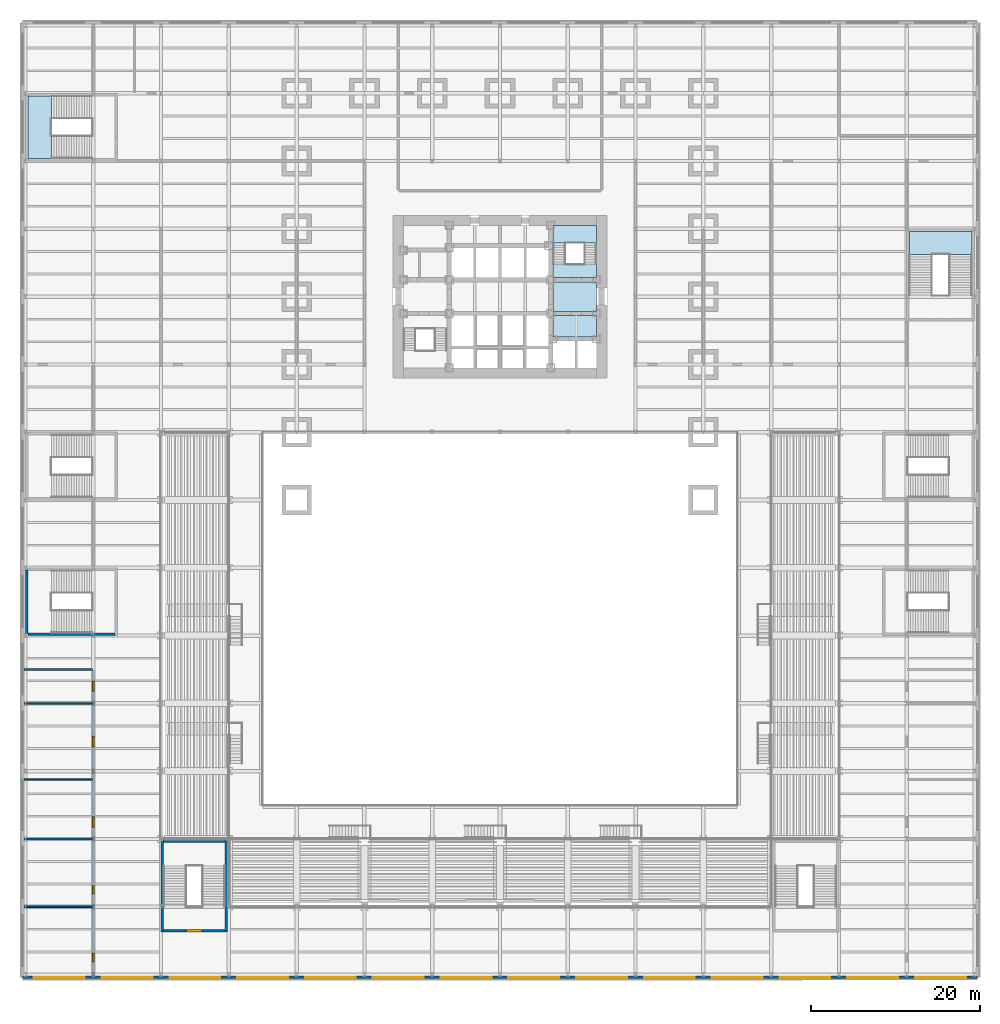
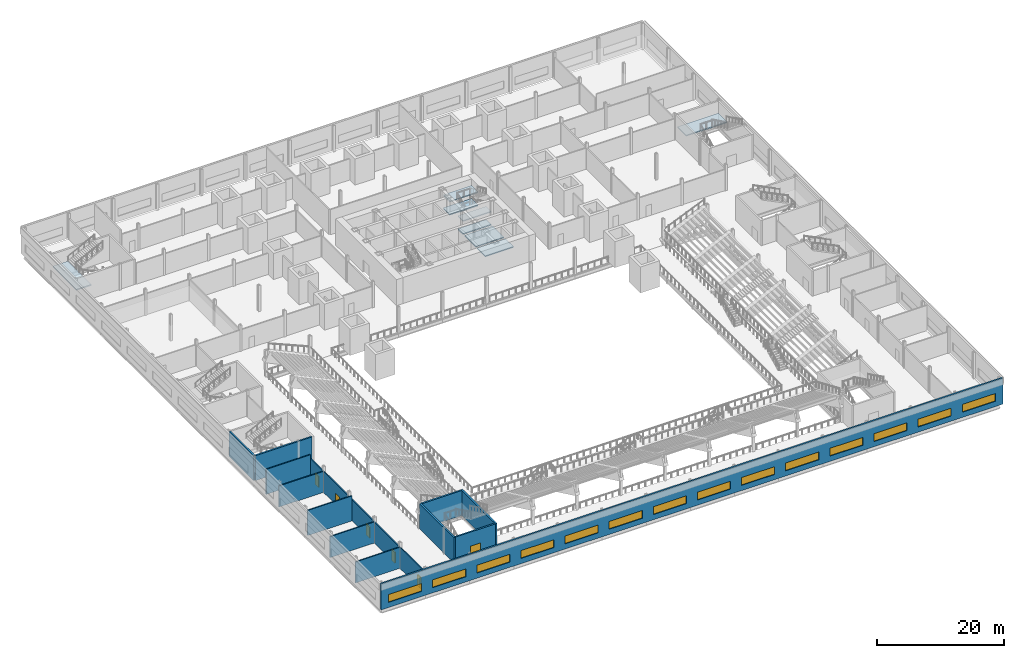
# One storey, part 13 of 27: 14 windows, 13 walls, 8 slabs, 6 doors, 20 openings, 3 elements without a shape of their own.
"""IFC4 building model written with IfcOpenShell, lengths in metres."""

from ifc_helpers import new_model, si_unit, direction, frame, frame_2d, origin, place, context, subcontext, project, spatial, polyline, rectangle, outline, extrude, material, layer, layer_set, type_object, element, fill, aggregate, save


model = new_model("IFC4")

# Units and contexts
model_context = context("Model", 3, precision=1e-05, world=origin(), true_north=direction((0.0, 1.0)))
body_context = subcontext(model_context, "Body", "Model", "MODEL_VIEW")
ifc_project = project(units=[si_unit("LENGTHUNIT", "METRE"), si_unit("AREAUNIT", "SQUARE_METRE"), si_unit("VOLUMEUNIT", "CUBIC_METRE"), si_unit("PLANEANGLEUNIT", "RADIAN"), si_unit("MASSUNIT", "GRAM", prefix="KILO")], contexts=[model_context])

# Site, building, storey
site_placement = place(None, origin())
site = spatial("IfcSite", under=ifc_project, at=site_placement, CompositionType="ELEMENT")
building_placement = place(site_placement, origin())
building = spatial("IfcBuilding", under=site, at=building_placement, Name="Daluyong Arena Tower", CompositionType="ELEMENT")
storey_placement = place(building_placement, frame((0.0, 0.0, 14.89990234375)))
storey = spatial("IfcBuildingStorey", under=building, at=storey_placement, Name="L03", CompositionType="ELEMENT", Elevation=14.89990234375)

# Slabs
ifc_material_1 = material(Name="Concrete fc' 35 MPa", Category="concrete")
ifc_layer_1 = layer(ifc_material_1, 0.199951171875)
ifc_layer_set_1 = layer_set([ifc_layer_1], Name="Concrete fc' 35 MPa")
slab_type_1 = type_object("IfcSlabType", Name="Podium floor slab 200", PredefinedType="FLOOR", material=ifc_layer_set_1)
slab_1_placement = place(storey_placement, frame((0.0, 0.0, -0.199951171875)))
element("IfcSlab", 1, at=slab_1_placement, inside=storey, type_object=slab_type_1, Name="podium floor L03 part 13", PredefinedType="FLOOR", context=body_context, shape_type="SweptSolid", body=[
    extrude(outline(polyline([(67.39990234375, 82.25), (67.39990234375, 83.824951171875), (62.25, 83.824951171875), (62.25, 82.25), (67.39990234375, 82.25)])), origin(), (0.0, 0.0, 1.0), 0.199951171875),
])
slab_2_placement = place(storey_placement, frame((0.0, 0.0, -0.199951171875)))
element("IfcSlab", 2, at=slab_2_placement, inside=storey, type_object=slab_type_1, Name="podium floor L03 part 14", PredefinedType="FLOOR", context=body_context, shape_type="SweptSolid", body=[
    extrude(outline(polyline([(67.39990234375, 75.25), (67.39990234375, 77.75), (62.25, 77.75), (62.25, 75.25), (67.39990234375, 75.25)])), origin(), (0.0, 0.0, 1.0), 0.199951171875),
])
slab_3_placement = place(storey_placement, frame((0.0, 0.0, -0.199951171875)))
element("IfcSlab", 3, at=slab_3_placement, inside=storey, type_object=slab_type_1, Name="podium floor L03 part 15", PredefinedType="FLOOR", context=body_context, shape_type="SweptSolid", body=[
    extrude(outline(polyline([(67.39990234375, 78.25), (67.39990234375, 81.75), (62.25, 81.75), (62.25, 78.25), (67.39990234375, 78.25)])), origin(), (0.0, 0.0, 1.0), 0.199951171875),
])

# Stair, slabs
ifc_material_2 = material(Name="Concrete fc' 35 MPa", Category="concrete")
stair_type_1 = type_object("IfcStairType", Name="Core exit stair", PredefinedType="HALF_TURN_STAIR", material=ifc_material_2)
stair_1_placement = place(storey_placement, origin())
stair_1 = element("IfcStair", 4, at=stair_1_placement, inside=storey, type_object=stair_type_1, Name="exit stair B L03", PredefinedType="HALF_TURN_STAIR")
ifc_material_3 = material(Name="Concrete fc' 35 MPa", Category="concrete")
ifc_layer_2 = layer(ifc_material_3, 0.199951171875)
ifc_layer_set_2 = layer_set([ifc_layer_2], Name="Concrete fc' 35 MPa")
slab_type_2 = type_object("IfcSlabType", Name="Stair landing 200", PredefinedType="LANDING", material=ifc_layer_set_2)
slab_4_placement = place(storey_placement, frame((0.0, 0.0, 1.050048828125)))
slab_4 = element("IfcSlab", 5, at=slab_4_placement, type_object=slab_type_2, Name="STB landing 1", PredefinedType="LANDING", context=body_context, shape_type="SweptSolid", body=[
    extrude(outline(polyline([(62.25, 86.344970703125), (67.39990234375, 86.344970703125), (67.39990234375, 88.39990234375), (62.25, 88.39990234375), (62.25, 86.344970703125)])), origin(), (0.0, 0.0, 1.0), 0.199951171875),
])
slab_5_placement = place(storey_placement, frame((0.0, 0.0, 2.300048828125)))
slab_5 = element("IfcSlab", 6, at=slab_5_placement, type_object=slab_type_2, Name="STB landing 2", PredefinedType="LANDING", context=body_context, shape_type="SweptSolid", body=[
    extrude(outline(polyline([(62.25, 82.25), (67.39990234375, 82.25), (67.39990234375, 83.824951171875), (62.25, 83.824951171875), (62.25, 82.25)])), origin(), (0.0, 0.0, 1.0), 0.199951171875),
])
slab_6_placement = place(storey_placement, frame((0.0, 0.0, 3.550048828125)))
slab_6 = element("IfcSlab", 7, at=slab_6_placement, type_object=slab_type_2, Name="STB landing 3", PredefinedType="LANDING", context=body_context, shape_type="SweptSolid", body=[
    extrude(outline(polyline([(62.25, 86.344970703125), (67.39990234375, 86.344970703125), (67.39990234375, 88.39990234375), (62.25, 88.39990234375), (62.25, 86.344970703125)])), origin(), (0.0, 0.0, 1.0), 0.199951171875),
])
aggregate(stair_1, [slab_4, slab_5, slab_6])

# Stair, slab
ifc_material_4 = material(Name="Concrete fc' 35 MPa", Category="concrete")
stair_type_2 = type_object("IfcStairType", Name="Podium exit stair", PredefinedType="HALF_TURN_STAIR", material=ifc_material_4)
stair_2_placement = place(storey_placement, origin())
stair_2 = element("IfcStair", 8, at=stair_2_placement, inside=storey, type_object=stair_type_2, Name="exit stair PS5 L03", PredefinedType="HALF_TURN_STAIR")
slab_7_placement = place(storey_placement, frame((0.0, 0.0, 2.300048828125)))
slab_7 = element("IfcSlab", 9, at=slab_7_placement, type_object=slab_type_2, Name="PS5 landing 1", PredefinedType="LANDING", context=body_context, shape_type="SweptSolid", body=[
    extrude(outline(polyline([(3.0400390625, 96.300048828125), (3.0400390625, 103.699951171875), (0.300048828125, 103.699951171875), (0.300048828125, 96.300048828125), (3.0400390625, 96.300048828125)])), origin(), (0.0, 0.0, 1.0), 0.199951171875),
])
aggregate(stair_2, [slab_7])

stair_3_placement = place(storey_placement, origin())
stair_3 = element("IfcStair", 10, at=stair_3_placement, inside=storey, type_object=stair_type_2, Name="exit stair PS6 L03", PredefinedType="HALF_TURN_STAIR")
slab_8_placement = place(storey_placement, frame((0.0, 0.0, 2.300048828125)))
slab_8 = element("IfcSlab", 11, at=slab_8_placement, type_object=slab_type_2, Name="PS6 landing 1", PredefinedType="LANDING", context=body_context, shape_type="SweptSolid", body=[
    extrude(outline(polyline([(104.300048828125, 84.9599609375), (111.699951171875, 84.9599609375), (111.699951171875, 87.699951171875), (104.300048828125, 87.699951171875), (104.300048828125, 84.9599609375)])), origin(), (0.0, 0.0, 1.0), 0.199951171875),
])
aggregate(stair_3, [slab_8])

# Walls
ifc_material_5 = material(Name="Concrete block partition", Category="concrete")
ifc_layer_3 = layer(ifc_material_5, 0.199951171875)
ifc_layer_set_3 = layer_set([ifc_layer_3], Name="Concrete block partition")
wall_type_1 = type_object("IfcWallType", Name="Partition 200", PredefinedType="PARTITIONING", material=ifc_layer_set_3)
for number, where, z_axis, x_axis, name in (
    (12, (-0.14990234375, 8.0, 0.0), (0.0, 0.0, 1.0), (1.0, 0.0, 0.0), "partition at L03"),
    (13, (-0.14990234375, 16.0, 0.0), (0.0, 0.0, 1.0), (1.0, 0.0, 0.0), "partition at L03"),
):
    element("IfcWall", number, at=place(storey_placement, frame(where, z_axis=z_axis, x_axis=x_axis)), inside=storey, type_object=wall_type_1, Name=name, PredefinedType="PARTITIONING", context=body_context, shape_type="SweptSolid", body=[
        extrude(rectangle(XDim=8.0498046875, YDim=0.199951171875, at=frame_2d((4.02490234375, 0.0))), origin(), (0.0, 0.0, 1.0), 4.02783203125),
    ])
wall_1_placement = place(storey_placement, frame((-0.14990234375, 23.0, 0.0), z_axis=(0.0, 0.0, 1.0), x_axis=(1.0, 0.0, 0.0)))
element("IfcWall", 14, at=wall_1_placement, inside=storey, type_object=wall_type_1, Name="partition at L03", PredefinedType="PARTITIONING", context=body_context, shape_type="SweptSolid", body=[
    extrude(rectangle(XDim=8.0498046875, YDim=0.199951171875, at=frame_2d((4.02490234375, 0.0))), origin(), (0.0, 0.0, 1.0), 4.800048828125),
])
wall_2_placement = place(storey_placement, frame((-0.14990234375, 32.0, 0.0), z_axis=(0.0, 0.0, 1.0), x_axis=(1.0, 0.0, 0.0)))
element("IfcWall", 15, at=wall_2_placement, inside=storey, type_object=wall_type_1, Name="partition at L03", PredefinedType="PARTITIONING", context=body_context, shape_type="SweptSolid", body=[
    extrude(rectangle(XDim=8.0498046875, YDim=0.199951171875, at=frame_2d((4.02490234375, 0.0))), origin(), (0.0, 0.0, 1.0), 4.02783203125),
])
wall_3_placement = place(storey_placement, frame((-0.14990234375, 36.0, 0.0), z_axis=(0.0, 0.0, 1.0), x_axis=(1.0, 0.0, 0.0)))
element("IfcWall", 16, at=wall_3_placement, inside=storey, type_object=wall_type_1, Name="partition at L03", PredefinedType="PARTITIONING", context=body_context, shape_type="SweptSolid", body=[
    extrude(rectangle(XDim=8.0498046875, YDim=0.199951171875, at=frame_2d((4.02490234375, 0.0))), origin(), (0.0, 0.0, 1.0), 4.800048828125),
])

# Wall, openings, doors
wall_4_placement = place(storey_placement, frame((8.0, -0.14990234375, 0.0), z_axis=(0.0, 0.0, 1.0), x_axis=(0.0, 1.0, 0.0)))
wall_4 = element("IfcWall", 17, at=wall_4_placement, inside=storey, type_object=wall_type_1, Name="partition at L03", PredefinedType="PARTITIONING", context=body_context, shape_type="SweptSolid", body=[
    extrude(rectangle(XDim=36.0498046875, YDim=0.199951171875, at=frame_2d((18.02490234375, 0.0))), origin(), (0.0, 0.0, 1.0), 4.02783203125),
])
opening_1_placement = place(wall_4_placement, frame((17.550048828125, 0.0, 0.0)))
opening_1 = element("IfcOpeningElement", 18, at=opening_1_placement, cuts=wall_4, Name="Opening 03023", PredefinedType="OPENING", context=body_context, shape_type="SweptSolid", body=[
    extrude(rectangle(XDim=1.199951171875, YDim=2.10009765625, at=frame_2d((0.60009765625, 1.050048828125))), frame((0.0, 0.10986328125, 0.0), z_axis=(0.0, -1.0, 0.0), x_axis=(1.0, 0.0, 0.0)), (0.0, 0.0, 1.0), 0.219970703125),
])
opening_2_placement = place(wall_4_placement, frame((27.050048828125, 0.0, 0.0)))
opening_2 = element("IfcOpeningElement", 19, at=opening_2_placement, cuts=wall_4, Name="Opening 03024", PredefinedType="OPENING", context=body_context, shape_type="SweptSolid", body=[
    extrude(rectangle(XDim=1.199951171875, YDim=2.10009765625, at=frame_2d((0.60009765625, 1.050048828125))), frame((0.0, 0.10986328125, 0.0), z_axis=(0.0, -1.0, 0.0), x_axis=(1.0, 0.0, 0.0)), (0.0, 0.0, 1.0), 0.219970703125),
])
opening_3_placement = place(wall_4_placement, frame((33.550048828125, 0.0, 0.0)))
opening_3 = element("IfcOpeningElement", 20, at=opening_3_placement, cuts=wall_4, Name="Opening 03025", PredefinedType="OPENING", context=body_context, shape_type="SweptSolid", body=[
    extrude(rectangle(XDim=1.199951171875, YDim=2.10009765625, at=frame_2d((0.60009765625, 1.050048828125))), frame((0.0, 0.10986328125, 0.0), z_axis=(0.0, -1.0, 0.0), x_axis=(1.0, 0.0, 0.0)), (0.0, 0.0, 1.0), 0.219970703125),
])
opening_4_placement = place(wall_4_placement, frame((9.64990234375, 0.0, 0.0)))
opening_4 = element("IfcOpeningElement", 21, at=opening_4_placement, cuts=wall_4, Name="Opening 03031", PredefinedType="OPENING", context=body_context, shape_type="SweptSolid", body=[
    extrude(rectangle(XDim=1.0, YDim=2.10009765625, at=frame_2d((0.5, 1.050048828125))), frame((0.0, 0.10986328125, 0.0), z_axis=(0.0, -1.0, 0.0), x_axis=(1.0, 0.0, 0.0)), (0.0, 0.0, 1.0), 0.219970703125),
])
opening_5_placement = place(wall_4_placement, frame((1.64990234375, 0.0, 0.0)))
opening_5 = element("IfcOpeningElement", 22, at=opening_5_placement, cuts=wall_4, Name="Opening 03032", PredefinedType="OPENING", context=body_context, shape_type="SweptSolid", body=[
    extrude(rectangle(XDim=1.0, YDim=2.10009765625, at=frame_2d((0.5, 1.050048828125))), frame((0.0, 0.10986328125, 0.0), z_axis=(0.0, -1.0, 0.0), x_axis=(1.0, 0.0, 0.0)), (0.0, 0.0, 1.0), 0.219970703125),
])
ifc_material_6 = material(Name="Timber door", Category="wood")
door_type_1 = type_object("IfcDoorType", Name="Room door 1000", OperationType="SINGLE_SWING_LEFT", PredefinedType="DOOR", material=ifc_material_6)
door_1_placement = place(opening_4_placement, origin())
door_1 = element("IfcDoor", 23, at=door_1_placement, inside=storey, type_object=door_type_1, Name="food and beverage kiosk door 03031", OperationType="SINGLE_SWING_LEFT", OverallHeight=2.10009765625, OverallWidth=1.0, PredefinedType="DOOR", context=body_context, shape_type="SweptSolid", body=[
    extrude(rectangle(XDim=1.0, YDim=2.10009765625, at=frame_2d((0.5, 1.050048828125))), frame((0.0, 0.099609375, 0.0), z_axis=(0.0, -1.0, 0.0), x_axis=(1.0, 0.0, 0.0)), (0.0, 0.0, 1.0), 0.199462890625),
])
fill(opening_4, door_1)
door_2_placement = place(opening_5_placement, origin())
door_2 = element("IfcDoor", 24, at=door_2_placement, inside=storey, type_object=door_type_1, Name="event crew room door 03032", OperationType="SINGLE_SWING_LEFT", OverallHeight=2.10009765625, OverallWidth=1.0, PredefinedType="DOOR", context=body_context, shape_type="SweptSolid", body=[
    extrude(rectangle(XDim=1.0, YDim=2.10009765625, at=frame_2d((0.5, 1.050048828125))), frame((0.0, 0.099609375, 0.0), z_axis=(0.0, -1.0, 0.0), x_axis=(1.0, 0.0, 0.0)), (0.0, 0.0, 1.0), 0.199462890625),
])
fill(opening_5, door_2)
ifc_material_7 = material(Name="Timber door", Category="wood")
door_type_2 = type_object("IfcDoorType", Name="Toilet entry door 1200", OperationType="SINGLE_SWING_RIGHT", PredefinedType="DOOR", material=ifc_material_7)
door_3_placement = place(opening_1_placement, origin())
door_3 = element("IfcDoor", 25, at=door_3_placement, inside=storey, type_object=door_type_2, Name="male toilet door 03023", OperationType="SINGLE_SWING_RIGHT", OverallHeight=2.10009765625, OverallWidth=1.199951171875, PredefinedType="DOOR", context=body_context, shape_type="SweptSolid", body=[
    extrude(rectangle(XDim=1.199951171875, YDim=2.10009765625, at=frame_2d((0.60009765625, 1.050048828125))), frame((0.0, 0.099609375, 0.0), z_axis=(0.0, -1.0, 0.0), x_axis=(1.0, 0.0, 0.0)), (0.0, 0.0, 1.0), 0.199462890625),
])
fill(opening_1, door_3)
door_4_placement = place(opening_2_placement, origin())
door_4 = element("IfcDoor", 26, at=door_4_placement, inside=storey, type_object=door_type_2, Name="female toilet door 03024", OperationType="SINGLE_SWING_RIGHT", OverallHeight=2.10009765625, OverallWidth=1.199951171875, PredefinedType="DOOR", context=body_context, shape_type="SweptSolid", body=[
    extrude(rectangle(XDim=1.199951171875, YDim=2.10009765625, at=frame_2d((0.60009765625, 1.050048828125))), frame((0.0, 0.099609375, 0.0), z_axis=(0.0, -1.0, 0.0), x_axis=(1.0, 0.0, 0.0)), (0.0, 0.0, 1.0), 0.199462890625),
])
fill(opening_2, door_4)
door_5_placement = place(opening_3_placement, origin())
door_5 = element("IfcDoor", 27, at=door_5_placement, inside=storey, type_object=door_type_2, Name="accessible toilet door 03025", OperationType="SINGLE_SWING_RIGHT", OverallHeight=2.10009765625, OverallWidth=1.199951171875, PredefinedType="DOOR", context=body_context, shape_type="SweptSolid", body=[
    extrude(rectangle(XDim=1.199951171875, YDim=2.10009765625, at=frame_2d((0.60009765625, 1.050048828125))), frame((0.0, 0.099609375, 0.0), z_axis=(0.0, -1.0, 0.0), x_axis=(1.0, 0.0, 0.0)), (0.0, 0.0, 1.0), 0.199462890625),
])
fill(opening_3, door_5)

# Wall, openings, windows
ifc_material_8 = material(Name="Precast concrete fc' 45 MPa", Category="concrete")
ifc_layer_4 = layer(ifc_material_8, 0.300048828125)
ifc_layer_set_4 = layer_set([ifc_layer_4], Name="Precast concrete fc' 45 MPa")
wall_type_2 = type_object("IfcWallType", Name="Podium precast band wall 300", PredefinedType="SOLIDWALL", material=ifc_layer_set_4)
wall_5_placement = place(storey_placement, frame((-0.35009765625, -0.35009765625, 0.0), z_axis=(0.0, 0.0, 1.0), x_axis=(1.0, 0.0, 0.0)))
wall_5 = element("IfcWall", 28, at=wall_5_placement, inside=storey, type_object=wall_type_2, Name="podium wall S L03", PredefinedType="SOLIDWALL", context=body_context, shape_type="SweptSolid", body=[
    extrude(rectangle(XDim=112.7001953125, YDim=0.300048828125, at=frame_2d((56.35009765625, 0.0))), origin(), (0.0, 0.0, 1.0), 5.0),
])
opening_6_placement = place(wall_5_placement, frame((1.35009765625, 0.0, 1.0)))
opening_6 = element("IfcOpeningElement", 29, at=opening_6_placement, cuts=wall_5, Name="Opening W1", PredefinedType="OPENING", context=body_context, shape_type="SweptSolid", body=[
    extrude(rectangle(XDim=6.0, YDim=1.5, at=frame_2d((3.0, 0.75))), frame((0.0, 0.159912109375, 0.0), z_axis=(0.0, -1.0, 0.0), x_axis=(1.0, 0.0, 0.0)), (0.0, 0.0, 1.0), 0.320068359375),
])
opening_7_placement = place(wall_5_placement, frame((9.35009765625, 0.0, 1.0)))
opening_7 = element("IfcOpeningElement", 30, at=opening_7_placement, cuts=wall_5, Name="Opening W1", PredefinedType="OPENING", context=body_context, shape_type="SweptSolid", body=[
    extrude(rectangle(XDim=6.0, YDim=1.5, at=frame_2d((3.0, 0.75))), frame((0.0, 0.159912109375, 0.0), z_axis=(0.0, -1.0, 0.0), x_axis=(1.0, 0.0, 0.0)), (0.0, 0.0, 1.0), 0.320068359375),
])
opening_8_placement = place(wall_5_placement, frame((17.35009765625, 0.0, 1.0)))
opening_8 = element("IfcOpeningElement", 31, at=opening_8_placement, cuts=wall_5, Name="Opening W1", PredefinedType="OPENING", context=body_context, shape_type="SweptSolid", body=[
    extrude(rectangle(XDim=6.0, YDim=1.5, at=frame_2d((3.0, 0.75))), frame((0.0, 0.159912109375, 0.0), z_axis=(0.0, -1.0, 0.0), x_axis=(1.0, 0.0, 0.0)), (0.0, 0.0, 1.0), 0.320068359375),
])
opening_9_placement = place(wall_5_placement, frame((25.35009765625, 0.0, 1.0)))
opening_9 = element("IfcOpeningElement", 32, at=opening_9_placement, cuts=wall_5, Name="Opening W1", PredefinedType="OPENING", context=body_context, shape_type="SweptSolid", body=[
    extrude(rectangle(XDim=6.0, YDim=1.5, at=frame_2d((3.0, 0.75))), frame((0.0, 0.159912109375, 0.0), z_axis=(0.0, -1.0, 0.0), x_axis=(1.0, 0.0, 0.0)), (0.0, 0.0, 1.0), 0.320068359375),
])
opening_10_placement = place(wall_5_placement, frame((33.35009765625, 0.0, 1.0)))
opening_10 = element("IfcOpeningElement", 33, at=opening_10_placement, cuts=wall_5, Name="Opening W1", PredefinedType="OPENING", context=body_context, shape_type="SweptSolid", body=[
    extrude(rectangle(XDim=6.0, YDim=1.5, at=frame_2d((3.0, 0.75))), frame((0.0, 0.159912109375, 0.0), z_axis=(0.0, -1.0, 0.0), x_axis=(1.0, 0.0, 0.0)), (0.0, 0.0, 1.0), 0.320068359375),
])
opening_11_placement = place(wall_5_placement, frame((41.35009765625, 0.0, 1.0)))
opening_11 = element("IfcOpeningElement", 34, at=opening_11_placement, cuts=wall_5, Name="Opening W1", PredefinedType="OPENING", context=body_context, shape_type="SweptSolid", body=[
    extrude(rectangle(XDim=6.0, YDim=1.5, at=frame_2d((3.0, 0.75))), frame((0.0, 0.159912109375, 0.0), z_axis=(0.0, -1.0, 0.0), x_axis=(1.0, 0.0, 0.0)), (0.0, 0.0, 1.0), 0.320068359375),
])
opening_12_placement = place(wall_5_placement, frame((49.35009765625, 0.0, 1.0)))
opening_12 = element("IfcOpeningElement", 35, at=opening_12_placement, cuts=wall_5, Name="Opening W1", PredefinedType="OPENING", context=body_context, shape_type="SweptSolid", body=[
    extrude(rectangle(XDim=6.0, YDim=1.5, at=frame_2d((3.0, 0.75))), frame((0.0, 0.159912109375, 0.0), z_axis=(0.0, -1.0, 0.0), x_axis=(1.0, 0.0, 0.0)), (0.0, 0.0, 1.0), 0.320068359375),
])
opening_13_placement = place(wall_5_placement, frame((57.35009765625, 0.0, 1.0)))
opening_13 = element("IfcOpeningElement", 36, at=opening_13_placement, cuts=wall_5, Name="Opening W1", PredefinedType="OPENING", context=body_context, shape_type="SweptSolid", body=[
    extrude(rectangle(XDim=6.0, YDim=1.5, at=frame_2d((3.0, 0.75))), frame((0.0, 0.159912109375, 0.0), z_axis=(0.0, -1.0, 0.0), x_axis=(1.0, 0.0, 0.0)), (0.0, 0.0, 1.0), 0.320068359375),
])
opening_14_placement = place(wall_5_placement, frame((65.35009765625, 0.0, 1.0)))
opening_14 = element("IfcOpeningElement", 37, at=opening_14_placement, cuts=wall_5, Name="Opening W1", PredefinedType="OPENING", context=body_context, shape_type="SweptSolid", body=[
    extrude(rectangle(XDim=6.0, YDim=1.5, at=frame_2d((3.0, 0.75))), frame((0.0, 0.159912109375, 0.0), z_axis=(0.0, -1.0, 0.0), x_axis=(1.0, 0.0, 0.0)), (0.0, 0.0, 1.0), 0.320068359375),
])
opening_15_placement = place(wall_5_placement, frame((73.35009765625, 0.0, 1.0)))
opening_15 = element("IfcOpeningElement", 38, at=opening_15_placement, cuts=wall_5, Name="Opening W1", PredefinedType="OPENING", context=body_context, shape_type="SweptSolid", body=[
    extrude(rectangle(XDim=6.0, YDim=1.5, at=frame_2d((3.0, 0.75))), frame((0.0, 0.159912109375, 0.0), z_axis=(0.0, -1.0, 0.0), x_axis=(1.0, 0.0, 0.0)), (0.0, 0.0, 1.0), 0.320068359375),
])
opening_16_placement = place(wall_5_placement, frame((81.35009765625, 0.0, 1.0)))
opening_16 = element("IfcOpeningElement", 39, at=opening_16_placement, cuts=wall_5, Name="Opening W1", PredefinedType="OPENING", context=body_context, shape_type="SweptSolid", body=[
    extrude(rectangle(XDim=6.0, YDim=1.5, at=frame_2d((3.0, 0.75))), frame((0.0, 0.159912109375, 0.0), z_axis=(0.0, -1.0, 0.0), x_axis=(1.0, 0.0, 0.0)), (0.0, 0.0, 1.0), 0.320068359375),
])
opening_17_placement = place(wall_5_placement, frame((89.35009765625, 0.0, 1.0)))
opening_17 = element("IfcOpeningElement", 40, at=opening_17_placement, cuts=wall_5, Name="Opening W1", PredefinedType="OPENING", context=body_context, shape_type="SweptSolid", body=[
    extrude(rectangle(XDim=6.0, YDim=1.5, at=frame_2d((3.0, 0.75))), frame((0.0, 0.159912109375, 0.0), z_axis=(0.0, -1.0, 0.0), x_axis=(1.0, 0.0, 0.0)), (0.0, 0.0, 1.0), 0.320068359375),
])
opening_18_placement = place(wall_5_placement, frame((97.35009765625, 0.0, 1.0)))
opening_18 = element("IfcOpeningElement", 41, at=opening_18_placement, cuts=wall_5, Name="Opening W1", PredefinedType="OPENING", context=body_context, shape_type="SweptSolid", body=[
    extrude(rectangle(XDim=6.0, YDim=1.5, at=frame_2d((3.0, 0.75))), frame((0.0, 0.159912109375, 0.0), z_axis=(0.0, -1.0, 0.0), x_axis=(1.0, 0.0, 0.0)), (0.0, 0.0, 1.0), 0.320068359375),
])
opening_19_placement = place(wall_5_placement, frame((105.35009765625, 0.0, 1.0)))
opening_19 = element("IfcOpeningElement", 42, at=opening_19_placement, cuts=wall_5, Name="Opening W1", PredefinedType="OPENING", context=body_context, shape_type="SweptSolid", body=[
    extrude(rectangle(XDim=6.0, YDim=1.5, at=frame_2d((3.0, 0.75))), frame((0.0, 0.159912109375, 0.0), z_axis=(0.0, -1.0, 0.0), x_axis=(1.0, 0.0, 0.0)), (0.0, 0.0, 1.0), 0.320068359375),
])
ifc_material_9 = material(Name="Bronze aluminium window, tinted glass", Category="aluminium")
window_type = type_object("IfcWindowType", Name="Ribbon window 6000x1500", PartitioningType="TRIPLE_PANEL_HORIZONTAL", PredefinedType="WINDOW", material=ifc_material_9)
window_1_placement = place(opening_6_placement, origin())
window_1 = element("IfcWindow", 43, at=window_1_placement, inside=storey, type_object=window_type, Name="ribbon window S", OverallHeight=1.5, OverallWidth=6.0, PartitioningType="SINGLE_PANEL", PredefinedType="WINDOW", context=body_context, shape_type="SweptSolid", body=[
    extrude(rectangle(XDim=6.0, YDim=1.5, at=frame_2d((3.0, 0.75))), frame((0.0, 0.030029296875, 0.0), z_axis=(0.0, -1.0, 0.0), x_axis=(1.0, 0.0, 0.0)), (0.0, 0.0, 1.0), 0.06005859375),
])
fill(opening_6, window_1)
window_2_placement = place(opening_7_placement, origin())
window_2 = element("IfcWindow", 44, at=window_2_placement, inside=storey, type_object=window_type, Name="ribbon window S", OverallHeight=1.5, OverallWidth=6.0, PartitioningType="SINGLE_PANEL", PredefinedType="WINDOW", context=body_context, shape_type="SweptSolid", body=[
    extrude(rectangle(XDim=6.0, YDim=1.5, at=frame_2d((3.0, 0.75))), frame((0.0, 0.030029296875, 0.0), z_axis=(0.0, -1.0, 0.0), x_axis=(1.0, 0.0, 0.0)), (0.0, 0.0, 1.0), 0.06005859375),
])
fill(opening_7, window_2)
window_3_placement = place(opening_8_placement, origin())
window_3 = element("IfcWindow", 45, at=window_3_placement, inside=storey, type_object=window_type, Name="ribbon window S", OverallHeight=1.5, OverallWidth=6.0, PartitioningType="SINGLE_PANEL", PredefinedType="WINDOW", context=body_context, shape_type="SweptSolid", body=[
    extrude(rectangle(XDim=6.0, YDim=1.5, at=frame_2d((3.0, 0.75))), frame((0.0, 0.030029296875, 0.0), z_axis=(0.0, -1.0, 0.0), x_axis=(1.0, 0.0, 0.0)), (0.0, 0.0, 1.0), 0.06005859375),
])
fill(opening_8, window_3)
window_4_placement = place(opening_9_placement, origin())
window_4 = element("IfcWindow", 46, at=window_4_placement, inside=storey, type_object=window_type, Name="ribbon window S", OverallHeight=1.5, OverallWidth=6.0, PartitioningType="SINGLE_PANEL", PredefinedType="WINDOW", context=body_context, shape_type="SweptSolid", body=[
    extrude(rectangle(XDim=6.0, YDim=1.5, at=frame_2d((3.0, 0.75))), frame((0.0, 0.030029296875, 0.0), z_axis=(0.0, -1.0, 0.0), x_axis=(1.0, 0.0, 0.0)), (0.0, 0.0, 1.0), 0.06005859375),
])
fill(opening_9, window_4)
window_5_placement = place(opening_10_placement, origin())
window_5 = element("IfcWindow", 47, at=window_5_placement, inside=storey, type_object=window_type, Name="ribbon window S", OverallHeight=1.5, OverallWidth=6.0, PartitioningType="SINGLE_PANEL", PredefinedType="WINDOW", context=body_context, shape_type="SweptSolid", body=[
    extrude(rectangle(XDim=6.0, YDim=1.5, at=frame_2d((3.0, 0.75))), frame((0.0, 0.030029296875, 0.0), z_axis=(0.0, -1.0, 0.0), x_axis=(1.0, 0.0, 0.0)), (0.0, 0.0, 1.0), 0.06005859375),
])
fill(opening_10, window_5)
window_6_placement = place(opening_11_placement, origin())
window_6 = element("IfcWindow", 48, at=window_6_placement, inside=storey, type_object=window_type, Name="ribbon window S", OverallHeight=1.5, OverallWidth=6.0, PartitioningType="SINGLE_PANEL", PredefinedType="WINDOW", context=body_context, shape_type="SweptSolid", body=[
    extrude(rectangle(XDim=6.0, YDim=1.5, at=frame_2d((3.0, 0.75))), frame((0.0, 0.030029296875, 0.0), z_axis=(0.0, -1.0, 0.0), x_axis=(1.0, 0.0, 0.0)), (0.0, 0.0, 1.0), 0.06005859375),
])
fill(opening_11, window_6)
window_7_placement = place(opening_12_placement, origin())
window_7 = element("IfcWindow", 49, at=window_7_placement, inside=storey, type_object=window_type, Name="ribbon window S", OverallHeight=1.5, OverallWidth=6.0, PartitioningType="SINGLE_PANEL", PredefinedType="WINDOW", context=body_context, shape_type="SweptSolid", body=[
    extrude(rectangle(XDim=6.0, YDim=1.5, at=frame_2d((3.0, 0.75))), frame((0.0, 0.030029296875, 0.0), z_axis=(0.0, -1.0, 0.0), x_axis=(1.0, 0.0, 0.0)), (0.0, 0.0, 1.0), 0.06005859375),
])
fill(opening_12, window_7)
window_8_placement = place(opening_13_placement, origin())
window_8 = element("IfcWindow", 50, at=window_8_placement, inside=storey, type_object=window_type, Name="ribbon window S", OverallHeight=1.5, OverallWidth=6.0, PartitioningType="SINGLE_PANEL", PredefinedType="WINDOW", context=body_context, shape_type="SweptSolid", body=[
    extrude(rectangle(XDim=6.0, YDim=1.5, at=frame_2d((3.0, 0.75))), frame((0.0, 0.030029296875, 0.0), z_axis=(0.0, -1.0, 0.0), x_axis=(1.0, 0.0, 0.0)), (0.0, 0.0, 1.0), 0.06005859375),
])
fill(opening_13, window_8)
window_9_placement = place(opening_14_placement, origin())
window_9 = element("IfcWindow", 51, at=window_9_placement, inside=storey, type_object=window_type, Name="ribbon window S", OverallHeight=1.5, OverallWidth=6.0, PartitioningType="SINGLE_PANEL", PredefinedType="WINDOW", context=body_context, shape_type="SweptSolid", body=[
    extrude(rectangle(XDim=6.0, YDim=1.5, at=frame_2d((3.0, 0.75))), frame((0.0, 0.030029296875, 0.0), z_axis=(0.0, -1.0, 0.0), x_axis=(1.0, 0.0, 0.0)), (0.0, 0.0, 1.0), 0.06005859375),
])
fill(opening_14, window_9)
window_10_placement = place(opening_15_placement, origin())
window_10 = element("IfcWindow", 52, at=window_10_placement, inside=storey, type_object=window_type, Name="ribbon window S", OverallHeight=1.5, OverallWidth=6.0, PartitioningType="SINGLE_PANEL", PredefinedType="WINDOW", context=body_context, shape_type="SweptSolid", body=[
    extrude(rectangle(XDim=6.0, YDim=1.5, at=frame_2d((3.0, 0.75))), frame((0.0, 0.030029296875, 0.0), z_axis=(0.0, -1.0, 0.0), x_axis=(1.0, 0.0, 0.0)), (0.0, 0.0, 1.0), 0.06005859375),
])
fill(opening_15, window_10)
window_11_placement = place(opening_16_placement, origin())
window_11 = element("IfcWindow", 53, at=window_11_placement, inside=storey, type_object=window_type, Name="ribbon window S", OverallHeight=1.5, OverallWidth=6.0, PartitioningType="SINGLE_PANEL", PredefinedType="WINDOW", context=body_context, shape_type="SweptSolid", body=[
    extrude(rectangle(XDim=6.0, YDim=1.5, at=frame_2d((3.0, 0.75))), frame((0.0, 0.030029296875, 0.0), z_axis=(0.0, -1.0, 0.0), x_axis=(1.0, 0.0, 0.0)), (0.0, 0.0, 1.0), 0.06005859375),
])
fill(opening_16, window_11)
window_12_placement = place(opening_17_placement, origin())
window_12 = element("IfcWindow", 54, at=window_12_placement, inside=storey, type_object=window_type, Name="ribbon window S", OverallHeight=1.5, OverallWidth=6.0, PartitioningType="SINGLE_PANEL", PredefinedType="WINDOW", context=body_context, shape_type="SweptSolid", body=[
    extrude(rectangle(XDim=6.0, YDim=1.5, at=frame_2d((3.0, 0.75))), frame((0.0, 0.030029296875, 0.0), z_axis=(0.0, -1.0, 0.0), x_axis=(1.0, 0.0, 0.0)), (0.0, 0.0, 1.0), 0.06005859375),
])
fill(opening_17, window_12)
window_13_placement = place(opening_18_placement, origin())
window_13 = element("IfcWindow", 55, at=window_13_placement, inside=storey, type_object=window_type, Name="ribbon window S", OverallHeight=1.5, OverallWidth=6.0, PartitioningType="SINGLE_PANEL", PredefinedType="WINDOW", context=body_context, shape_type="SweptSolid", body=[
    extrude(rectangle(XDim=6.0, YDim=1.5, at=frame_2d((3.0, 0.75))), frame((0.0, 0.030029296875, 0.0), z_axis=(0.0, -1.0, 0.0), x_axis=(1.0, 0.0, 0.0)), (0.0, 0.0, 1.0), 0.06005859375),
])
fill(opening_18, window_13)
window_14_placement = place(opening_19_placement, origin())
window_14 = element("IfcWindow", 56, at=window_14_placement, inside=storey, type_object=window_type, Name="ribbon window S", OverallHeight=1.5, OverallWidth=6.0, PartitioningType="SINGLE_PANEL", PredefinedType="WINDOW", context=body_context, shape_type="SweptSolid", body=[
    extrude(rectangle(XDim=6.0, YDim=1.5, at=frame_2d((3.0, 0.75))), frame((0.0, 0.030029296875, 0.0), z_axis=(0.0, -1.0, 0.0), x_axis=(1.0, 0.0, 0.0)), (0.0, 0.0, 1.0), 0.06005859375),
])
fill(opening_19, window_14)

# Walls
ifc_material_10 = material(Name="Concrete fc' 35 MPa", Category="concrete")
ifc_layer_5 = layer(ifc_material_10, 0.300048828125)
ifc_layer_set_5 = layer_set([ifc_layer_5], Name="Concrete fc' 35 MPa")
wall_type_3 = type_object("IfcWallType", Name="Stair enclosure wall 300", PredefinedType="SOLIDWALL", material=ifc_layer_set_5)
wall_6_placement = place(storey_placement, frame((16.14990234375, 5.0, 0.0), z_axis=(0.0, 0.0, 1.0), x_axis=(0.0, 1.0, 0.0)))
element("IfcWall", 57, at=wall_6_placement, inside=storey, type_object=wall_type_3, Name="exit stair PS1 enclosure", PredefinedType="SOLIDWALL", context=body_context, shape_type="SweptSolid", body=[
    extrude(rectangle(XDim=10.791748046875, YDim=0.300048828125, at=frame_2d((5.39599609375, 0.0))), origin(), (0.0, 0.0, 1.0), 4.800048828125),
])
wall_7_placement = place(storey_placement, frame((23.699951171875, 5.0, 0.0), z_axis=(0.0, 0.0, 1.0), x_axis=(0.0, 1.0, 0.0)))
element("IfcWall", 58, at=wall_7_placement, inside=storey, type_object=wall_type_3, Name="exit stair PS1 enclosure", PredefinedType="SOLIDWALL", context=body_context, shape_type="SweptSolid", body=[
    extrude(rectangle(XDim=10.85009765625, YDim=0.300048828125, at=frame_2d((5.425048828125, 0.0))), origin(), (0.0, 0.0, 1.0), 4.800048828125),
])

# Wall, opening, door
wall_8_placement = place(storey_placement, frame((16.300048828125, 5.14990234375, 0.0), z_axis=(0.0, 0.0, 1.0), x_axis=(1.0, 0.0, 0.0)))
wall_8 = element("IfcWall", 59, at=wall_8_placement, inside=storey, type_object=wall_type_3, Name="exit stair PS1 enclosure", PredefinedType="SOLIDWALL", context=body_context, shape_type="SweptSolid", body=[
    extrude(rectangle(XDim=7.25, YDim=0.300048828125, at=frame_2d((3.625, 0.0))), origin(), (0.0, 0.0, 1.0), 4.800048828125),
])
opening_20_placement = place(wall_8_placement, frame((2.72509765625, 0.0, 0.0)))
opening_20 = element("IfcOpeningElement", 60, at=opening_20_placement, cuts=wall_8, Name="Opening 03015", PredefinedType="OPENING", context=body_context, shape_type="SweptSolid", body=[
    extrude(rectangle(XDim=1.800048828125, YDim=2.10009765625, at=frame_2d((0.89990234375, 1.050048828125))), frame((0.0, 0.159912109375, 0.0), z_axis=(0.0, -1.0, 0.0), x_axis=(1.0, 0.0, 0.0)), (0.0, 0.0, 1.0), 0.320068359375),
])
ifc_material_11 = material(Name="Steel door, fire rated", Category="steel")
door_type_3 = type_object("IfcDoorType", Name="Exit stair double door 1800", OperationType="DOUBLE_DOOR_SINGLE_SWING", PredefinedType="DOOR", material=ifc_material_11)
door_6_placement = place(opening_20_placement, origin())
door_6 = element("IfcDoor", 61, at=door_6_placement, inside=storey, type_object=door_type_3, Name="exit stair PS1 door 03015", OperationType="DOUBLE_DOOR_SINGLE_SWING", OverallHeight=2.10009765625, OverallWidth=1.800048828125, PredefinedType="DOOR", context=body_context, shape_type="SweptSolid", body=[
    extrude(rectangle(XDim=1.800048828125, YDim=2.10009765625, at=frame_2d((0.89990234375, 1.050048828125))), frame((0.0, 0.14990234375, 0.0), z_axis=(0.0, -1.0, 0.0), x_axis=(1.0, 0.0, 0.0)), (0.0, 0.0, 1.0), 0.299560546875),
])
fill(opening_20, door_6)

# Walls
wall_9_placement = place(storey_placement, frame((16.300048828125, 15.699951171875, 0.0), z_axis=(0.0, 0.0, 1.0), x_axis=(1.0, 0.0, 0.0)))
element("IfcWall", 62, at=wall_9_placement, inside=storey, type_object=wall_type_3, Name="exit stair PS1 enclosure", PredefinedType="SOLIDWALL", context=body_context, shape_type="SweptSolid", body=[
    extrude(rectangle(XDim=7.25, YDim=0.300048828125, at=frame_2d((3.625, 0.0))), origin(), (0.0, 0.0, 1.0), 4.800048828125),
])
wall_10_placement = place(storey_placement, frame((0.14990234375, 40.208251953125, 0.0), z_axis=(0.0, 0.0, 1.0), x_axis=(0.0, 1.0, 0.0)))
element("IfcWall", 63, at=wall_10_placement, inside=storey, type_object=wall_type_3, Name="exit stair PS3 enclosure", PredefinedType="SOLIDWALL", context=body_context, shape_type="SweptSolid", body=[
    extrude(rectangle(XDim=7.58349609375, YDim=0.300048828125, at=frame_2d((3.791748046875, 0.0))), origin(), (0.0, 0.0, 1.0), 4.800048828125),
])
wall_11_placement = place(storey_placement, frame((0.300048828125, 40.14990234375, 0.0), z_axis=(0.0, 0.0, 1.0), x_axis=(1.0, 0.0, 0.0)))
element("IfcWall", 64, at=wall_11_placement, inside=storey, type_object=wall_type_3, Name="exit stair PS3 enclosure", PredefinedType="SOLIDWALL", context=body_context, shape_type="SweptSolid", body=[
    extrude(rectangle(XDim=10.25, YDim=0.300048828125, at=frame_2d((5.125, 0.0))), origin(), (0.0, 0.0, 1.0), 4.800048828125),
])

save(model, "model.ifc")
